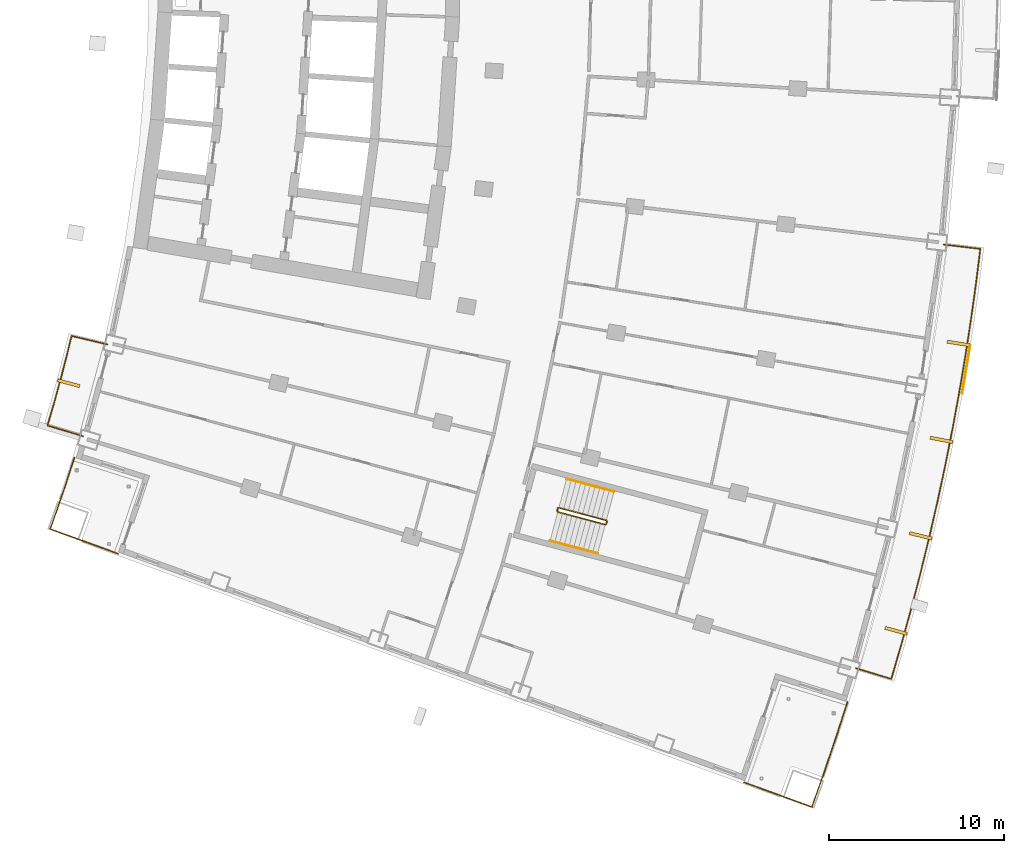
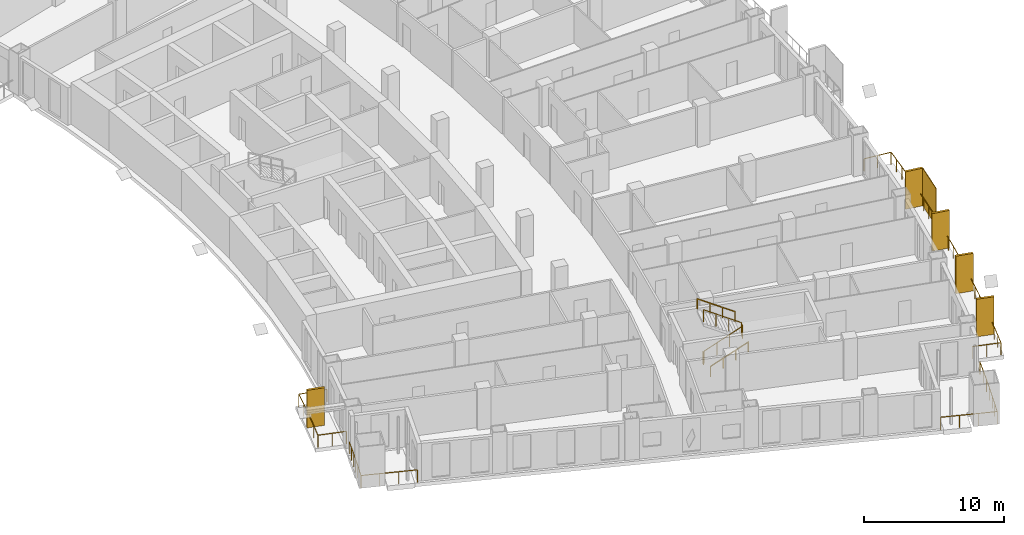
# One storey, part 23 of 25: 7 railings, 6 shading devices.
"""IFC4 building model written with IfcOpenShell, lengths in metres."""

from ifc_helpers import new_model, si_unit, direction, frame, origin, origin_2d, place, context, subcontext, project, spatial, rectangle, extrude, material, layer, layer_set, type_object, element, save


model = new_model("IFC4")

# Units and contexts
model_context = context("Model", 3, precision=1e-05, world=origin(), true_north=direction((0.0, 1.0)))
body_context = subcontext(model_context, "Body", "Model", "MODEL_VIEW")
ifc_project = project(units=[si_unit("LENGTHUNIT", "METRE"), si_unit("AREAUNIT", "SQUARE_METRE"), si_unit("VOLUMEUNIT", "CUBIC_METRE"), si_unit("PLANEANGLEUNIT", "RADIAN"), si_unit("MASSUNIT", "GRAM", prefix="KILO")], contexts=[model_context])

# Site, building, storey
site_placement = place(None, origin())
site = spatial("IfcSite", under=ifc_project, at=site_placement, CompositionType="ELEMENT")
building_placement = place(site_placement, origin())
building = spatial("IfcBuilding", under=site, at=building_placement, Name="Alderwake Tower", CompositionType="ELEMENT")
storey_placement = place(building_placement, frame((0.0, 0.0, 89.60009765625)))
storey = spatial("IfcBuildingStorey", under=building, at=storey_placement, Name="L21", CompositionType="ELEMENT", Elevation=89.60009765625)

# Railings
ifc_material_1 = material(Name="Stainless steel 316 rail and posts", Category="steel")
railing_type_1 = type_object("IfcRailingType", Name="Balcony guard 1100", PredefinedType="GUARDRAIL", material=ifc_material_1)
railing_1_placement = place(storey_placement, frame((56.22265625, 20.204833984375, 0.0)))
element("IfcRailing", 1, at=railing_1_placement, inside=storey, type_object=railing_type_1, Name="Guard BF02", PredefinedType="GUARDRAIL", context=body_context, shape_type="SweptSolid", body=[
    extrude(rectangle(XDim=0.048095703125, YDim=0.048095703125, at=origin_2d()), frame((0.0, 0.0, 1.076171875), z_axis=(0.957986128201, -0.286814536198, 0.0), x_axis=(0.286814536198, 0.957986128201, 0.0)), (0.0, 0.0, 1.0), 2.099853515625),
    extrude(rectangle(XDim=0.048095703125, YDim=0.048095703125, at=origin_2d()), frame((2.01171875, -0.602294921875, 1.076171875), z_axis=(0.280154349247, 0.959954968005, 0.0), x_axis=(-0.959954968005, 0.280154349247, 0.0)), (0.0, 0.0, 1.0), 2.00439453125),
    extrude(rectangle(XDim=0.048095703125, YDim=0.048095703125, at=origin_2d()), frame((2.5732421875, 1.32177734375, 1.076171875), z_axis=(0.266620451379, 0.963801605574, 0.0), x_axis=(-0.963801605574, 0.266620451379, 0.0)), (0.0, 0.0, 1.0), 2.104248046875),
    extrude(rectangle(XDim=0.048095703125, YDim=0.048095703125, at=origin_2d()), frame((3.13427734375, 3.349853515625, 1.076171875), z_axis=(0.252431341957, 0.967614808484, 0.0), x_axis=(-0.967614808484, 0.252431341957, 0.0)), (0.0, 0.0, 1.0), 2.1044921875),
    extrude(rectangle(XDim=0.048095703125, YDim=0.048095703125, at=origin_2d()), frame((3.66552734375, 5.38623046875, 1.076171875), z_axis=(0.238302054277, 0.971191088781, 0.0), x_axis=(-0.971191088781, 0.238302054277, 0.0)), (0.0, 0.0, 1.0), 2.104248046875),
    extrude(rectangle(XDim=0.048095703125, YDim=0.048095703125, at=origin_2d()), frame((4.1669921875, 7.429931640625, 1.076171875), z_axis=(0.224147692921, 0.974555186615, 0.0), x_axis=(-0.974555186615, 0.224147692921, 0.0)), (0.0, 0.0, 1.0), 2.104248046875),
    extrude(rectangle(XDim=0.048095703125, YDim=0.048095703125, at=origin_2d()), frame((4.638671875, 9.480712890625, 1.076171875), z_axis=(0.209885633333, 0.977725943668, 0.0), x_axis=(-0.977725943668, 0.209885633333, 0.0)), (0.0, 0.0, 1.0), 2.104248046875),
    extrude(rectangle(XDim=0.048095703125, YDim=0.048095703125, at=origin_2d()), frame((5.080322265625, 11.5380859375, 1.076171875), z_axis=(0.195602960633, 0.980683170954, 0.0), x_axis=(-0.980683170954, 0.195602960633, 0.0)), (0.0, 0.0, 1.0), 2.1044921875),
    extrude(rectangle(XDim=0.048095703125, YDim=0.048095703125, at=origin_2d()), frame((5.491943359375, 13.601806640625, 1.076171875), z_axis=(0.181212626515, 0.983443940442, 0.0), x_axis=(-0.983443940442, 0.181212626515, 0.0)), (0.0, 0.0, 1.0), 2.1044921875),
    extrude(rectangle(XDim=0.048095703125, YDim=0.048095703125, at=origin_2d()), frame((5.873291015625, 15.67138671875, 1.076171875), z_axis=(0.166957213464, 0.985964141778, 0.0), x_axis=(-0.985964141778, 0.166957213464, 0.0)), (0.0, 0.0, 1.0), 2.104248046875),
    extrude(rectangle(XDim=0.048095703125, YDim=0.048095703125, at=origin_2d()), frame((6.224609375, 17.74609375, 1.076171875), z_axis=(0.152554066346, 0.988295126388, 0.0), x_axis=(-0.988295126388, 0.152554066346, 0.0)), (0.0, 0.0, 1.0), 2.1044921875),
    extrude(rectangle(XDim=0.048095703125, YDim=0.048095703125, at=origin_2d()), frame((6.545654296875, 19.825927734375, 1.076171875), z_axis=(0.138058412224, 0.990424088365, 0.0), x_axis=(-0.990424088365, 0.138058412224, 0.0)), (0.0, 0.0, 1.0), 2.1044921875),
    extrude(rectangle(XDim=0.048095703125, YDim=0.048095703125, at=origin_2d()), frame((6.836181640625, 21.91015625, 1.076171875), z_axis=(0.124004750008, 0.992281624326, 0.0), x_axis=(-0.992281624326, 0.124004750008, 0.0)), (0.0, 0.0, 1.0), 2.004150390625),
    extrude(rectangle(XDim=0.048095703125, YDim=0.048095703125, at=origin_2d()), frame((7.084716796875, 23.89892578125, 1.076171875), z_axis=(-0.993124393357, 0.117063825835, 0.0), x_axis=(-0.117063825835, -0.993124393357, 0.0)), (0.0, 0.0, 1.0), 2.10009765625),
    extrude(rectangle(XDim=0.0419921875, YDim=0.0419921875, at=origin_2d()), frame((0.0, 0.0, 0.0), z_axis=(0.0, 0.0, 1.0), x_axis=(0.957986128201, -0.286814536198, 0.0)), (0.0, 0.0, 1.0), 1.052001953125),
    extrude(rectangle(XDim=0.0419921875, YDim=0.0419921875, at=origin_2d()), frame((1.005859375, -0.30126953125, 0.0), z_axis=(0.0, 0.0, 1.0), x_axis=(0.957986128201, -0.286814536198, 0.0)), (0.0, 0.0, 1.0), 1.052001953125),
    extrude(rectangle(XDim=0.0419921875, YDim=0.0419921875, at=origin_2d()), frame((2.01171875, -0.602294921875, 0.0), z_axis=(0.0, 0.0, 1.0), x_axis=(0.280154349247, 0.959954968005, 0.0)), (0.0, 0.0, 1.0), 1.052001953125),
    extrude(rectangle(XDim=0.0419921875, YDim=0.0419921875, at=origin_2d()), frame((2.29248046875, 0.35986328125, 0.0), z_axis=(0.0, 0.0, 1.0), x_axis=(0.280154349247, 0.959954968005, 0.0)), (0.0, 0.0, 1.0), 1.052001953125),
    extrude(rectangle(XDim=0.0419921875, YDim=0.0419921875, at=origin_2d()), frame((2.5732421875, 1.32177734375, 0.0), z_axis=(0.0, 0.0, 1.0), x_axis=(0.266620451379, 0.963801605574, 0.0)), (0.0, 0.0, 1.0), 1.052001953125),
    extrude(rectangle(XDim=0.0419921875, YDim=0.0419921875, at=origin_2d()), frame((2.853759765625, 2.3359375, 0.0), z_axis=(0.0, 0.0, 1.0), x_axis=(0.266620451379, 0.963801605574, 0.0)), (0.0, 0.0, 1.0), 1.052001953125),
    extrude(rectangle(XDim=0.0419921875, YDim=0.0419921875, at=origin_2d()), frame((3.13427734375, 3.349853515625, 0.0), z_axis=(0.0, 0.0, 1.0), x_axis=(0.252431341957, 0.967614808484, 0.0)), (0.0, 0.0, 1.0), 1.052001953125),
    extrude(rectangle(XDim=0.0419921875, YDim=0.0419921875, at=origin_2d()), frame((3.39990234375, 4.3681640625, 0.0), z_axis=(0.0, 0.0, 1.0), x_axis=(0.252431341957, 0.967614808484, 0.0)), (0.0, 0.0, 1.0), 1.052001953125),
    extrude(rectangle(XDim=0.0419921875, YDim=0.0419921875, at=origin_2d()), frame((3.66552734375, 5.38623046875, 0.0), z_axis=(0.0, 0.0, 1.0), x_axis=(0.238302054277, 0.971191088781, 0.0)), (0.0, 0.0, 1.0), 1.052001953125),
    extrude(rectangle(XDim=0.0419921875, YDim=0.0419921875, at=origin_2d()), frame((3.916259765625, 6.408203125, 0.0), z_axis=(0.0, 0.0, 1.0), x_axis=(0.238302054277, 0.971191088781, 0.0)), (0.0, 0.0, 1.0), 1.052001953125),
    extrude(rectangle(XDim=0.0419921875, YDim=0.0419921875, at=origin_2d()), frame((4.1669921875, 7.429931640625, 0.0), z_axis=(0.0, 0.0, 1.0), x_axis=(0.224147692921, 0.974555186615, 0.0)), (0.0, 0.0, 1.0), 1.052001953125),
    extrude(rectangle(XDim=0.0419921875, YDim=0.0419921875, at=origin_2d()), frame((4.40283203125, 8.455322265625, 0.0), z_axis=(0.0, 0.0, 1.0), x_axis=(0.224147692921, 0.974555186615, 0.0)), (0.0, 0.0, 1.0), 1.052001953125),
    extrude(rectangle(XDim=0.0419921875, YDim=0.0419921875, at=origin_2d()), frame((4.638671875, 9.480712890625, 0.0), z_axis=(0.0, 0.0, 1.0), x_axis=(0.209885633333, 0.977725943668, 0.0)), (0.0, 0.0, 1.0), 1.052001953125),
    extrude(rectangle(XDim=0.0419921875, YDim=0.0419921875, at=origin_2d()), frame((4.859375, 10.50927734375, 0.0), z_axis=(0.0, 0.0, 1.0), x_axis=(0.209885633333, 0.977725943668, 0.0)), (0.0, 0.0, 1.0), 1.052001953125),
    extrude(rectangle(XDim=0.0419921875, YDim=0.0419921875, at=origin_2d()), frame((5.080322265625, 11.5380859375, 0.0), z_axis=(0.0, 0.0, 1.0), x_axis=(0.195602960633, 0.980683170954, 0.0)), (0.0, 0.0, 1.0), 1.052001953125),
    extrude(rectangle(XDim=0.0419921875, YDim=0.0419921875, at=origin_2d()), frame((5.2861328125, 12.56982421875, 0.0), z_axis=(0.0, 0.0, 1.0), x_axis=(0.195602960633, 0.980683170954, 0.0)), (0.0, 0.0, 1.0), 1.052001953125),
    extrude(rectangle(XDim=0.0419921875, YDim=0.0419921875, at=origin_2d()), frame((5.491943359375, 13.601806640625, 0.0), z_axis=(0.0, 0.0, 1.0), x_axis=(0.181212626515, 0.983443940442, 0.0)), (0.0, 0.0, 1.0), 1.052001953125),
    extrude(rectangle(XDim=0.0419921875, YDim=0.0419921875, at=origin_2d()), frame((5.6826171875, 14.63671875, 0.0), z_axis=(0.0, 0.0, 1.0), x_axis=(0.181212626515, 0.983443940442, 0.0)), (0.0, 0.0, 1.0), 1.052001953125),
    extrude(rectangle(XDim=0.0419921875, YDim=0.0419921875, at=origin_2d()), frame((5.873291015625, 15.67138671875, 0.0), z_axis=(0.0, 0.0, 1.0), x_axis=(0.166957213464, 0.985964141778, 0.0)), (0.0, 0.0, 1.0), 1.052001953125),
    extrude(rectangle(XDim=0.0419921875, YDim=0.0419921875, at=origin_2d()), frame((6.048828125, 16.708740234375, 0.0), z_axis=(0.0, 0.0, 1.0), x_axis=(0.166957213464, 0.985964141778, 0.0)), (0.0, 0.0, 1.0), 1.052001953125),
    extrude(rectangle(XDim=0.0419921875, YDim=0.0419921875, at=origin_2d()), frame((6.224609375, 17.74609375, 0.0), z_axis=(0.0, 0.0, 1.0), x_axis=(0.152554066346, 0.988295126388, 0.0)), (0.0, 0.0, 1.0), 1.052001953125),
    extrude(rectangle(XDim=0.0419921875, YDim=0.0419921875, at=origin_2d()), frame((6.38525390625, 18.7861328125, 0.0), z_axis=(0.0, 0.0, 1.0), x_axis=(0.152554066346, 0.988295126388, 0.0)), (0.0, 0.0, 1.0), 1.052001953125),
    extrude(rectangle(XDim=0.0419921875, YDim=0.0419921875, at=origin_2d()), frame((6.545654296875, 19.825927734375, 0.0), z_axis=(0.0, 0.0, 1.0), x_axis=(0.138058412224, 0.990424088365, 0.0)), (0.0, 0.0, 1.0), 1.052001953125),
    extrude(rectangle(XDim=0.0419921875, YDim=0.0419921875, at=origin_2d()), frame((6.69091796875, 20.8681640625, 0.0), z_axis=(0.0, 0.0, 1.0), x_axis=(0.138058412224, 0.990424088365, 0.0)), (0.0, 0.0, 1.0), 1.052001953125),
    extrude(rectangle(XDim=0.0419921875, YDim=0.0419921875, at=origin_2d()), frame((6.836181640625, 21.91015625, 0.0), z_axis=(0.0, 0.0, 1.0), x_axis=(0.124004750008, 0.992281624326, 0.0)), (0.0, 0.0, 1.0), 1.052001953125),
    extrude(rectangle(XDim=0.0419921875, YDim=0.0419921875, at=origin_2d()), frame((6.96044921875, 22.904541015625, 0.0), z_axis=(0.0, 0.0, 1.0), x_axis=(0.124004750008, 0.992281624326, 0.0)), (0.0, 0.0, 1.0), 1.052001953125),
    extrude(rectangle(XDim=0.0419921875, YDim=0.0419921875, at=origin_2d()), frame((7.084716796875, 23.89892578125, 0.0), z_axis=(0.0, 0.0, 1.0), x_axis=(-0.993124393357, 0.117063825835, 0.0)), (0.0, 0.0, 1.0), 1.052001953125),
    extrude(rectangle(XDim=0.0419921875, YDim=0.0419921875, at=origin_2d()), frame((6.0419921875, 24.02197265625, 0.0), z_axis=(0.0, 0.0, 1.0), x_axis=(-0.993124393357, 0.117063825835, 0.0)), (0.0, 0.0, 1.0), 1.052001953125),
    extrude(rectangle(XDim=0.0419921875, YDim=0.0419921875, at=origin_2d()), frame((4.9990234375, 24.144775390625, 0.0), z_axis=(0.0, 0.0, 1.0), x_axis=(-0.993124393357, 0.117063825835, 0.0)), (0.0, 0.0, 1.0), 1.052001953125),
])
railing_2_placement = place(storey_placement, frame((12.16650390625, 33.435791015625, 0.0)))
element("IfcRailing", 2, at=railing_2_placement, inside=storey, type_object=railing_type_1, Name="Guard BR02", PredefinedType="GUARDRAIL", context=body_context, shape_type="SweptSolid", body=[
    extrude(rectangle(XDim=0.048095703125, YDim=0.048095703125, at=origin_2d()), frame((0.0, 0.0, 1.076171875), z_axis=(-0.958091458885, 0.286462486918, 0.0), x_axis=(-0.286462486918, -0.958091458885, 0.0)), (0.0, 0.0, 1.0), 2.099853515625),
    extrude(rectangle(XDim=0.048095703125, YDim=0.048095703125, at=origin_2d()), frame((-2.011962890625, 0.6015625, 1.076171875), z_axis=(0.279963157487, 0.960010744966, 0.0), x_axis=(-0.960010744966, 0.279963157487, 0.0)), (0.0, 0.0, 1.0), 1.272216796875),
    extrude(rectangle(XDim=0.048095703125, YDim=0.048095703125, at=origin_2d()), frame((-1.65576171875, 1.822998046875, 1.076171875), z_axis=(0.266487604617, 0.963838345671, 0.0), x_axis=(-0.963838345671, 0.266487604617, 0.0)), (0.0, 0.0, 1.0), 1.372314453125),
    extrude(rectangle(XDim=0.048095703125, YDim=0.048095703125, at=origin_2d()), frame((-1.2900390625, 3.145751953125, 1.076171875), z_axis=(0.252487086228, 0.967600264204, 0.0), x_axis=(-0.967600264204, 0.252487086228, 0.0)), (0.0, 0.0, 1.0), 1.3720703125),
    extrude(rectangle(XDim=0.048095703125, YDim=0.048095703125, at=origin_2d()), frame((-0.943603515625, 4.473388671875, 1.076171875), z_axis=(0.238877101641, 0.971049808358, 0.0), x_axis=(-0.971049808358, 0.238877101641, 0.0)), (0.0, 0.0, 1.0), 1.2724609375),
    extrude(rectangle(XDim=0.048095703125, YDim=0.048095703125, at=origin_2d()), frame((-0.6396484375, 5.708984375, 1.076171875), z_axis=(0.972646310656, -0.232291098337, 0.0), x_axis=(0.232291098337, 0.972646310656, 0.0)), (0.0, 0.0, 1.0), 2.099853515625),
    extrude(rectangle(XDim=0.0419921875, YDim=0.0419921875, at=origin_2d()), frame((0.0, 0.0, 0.0), z_axis=(0.0, 0.0, 1.0), x_axis=(-0.958091458885, 0.286462486918, 0.0)), (0.0, 0.0, 1.0), 1.052001953125),
    extrude(rectangle(XDim=0.0419921875, YDim=0.0419921875, at=origin_2d()), frame((-1.005859375, 0.30078125, 0.0), z_axis=(0.0, 0.0, 1.0), x_axis=(-0.958091458885, 0.286462486918, 0.0)), (0.0, 0.0, 1.0), 1.052001953125),
    extrude(rectangle(XDim=0.0419921875, YDim=0.0419921875, at=origin_2d()), frame((-2.011962890625, 0.6015625, 0.0), z_axis=(0.0, 0.0, 1.0), x_axis=(0.279963157487, 0.960010744966, 0.0)), (0.0, 0.0, 1.0), 1.052001953125),
    extrude(rectangle(XDim=0.0419921875, YDim=0.0419921875, at=origin_2d()), frame((-1.65576171875, 1.822998046875, 0.0), z_axis=(0.0, 0.0, 1.0), x_axis=(0.266487604617, 0.963838345671, 0.0)), (0.0, 0.0, 1.0), 1.052001953125),
    extrude(rectangle(XDim=0.0419921875, YDim=0.0419921875, at=origin_2d()), frame((-1.2900390625, 3.145751953125, 0.0), z_axis=(0.0, 0.0, 1.0), x_axis=(0.252487086228, 0.967600264204, 0.0)), (0.0, 0.0, 1.0), 1.052001953125),
    extrude(rectangle(XDim=0.0419921875, YDim=0.0419921875, at=origin_2d()), frame((-0.943603515625, 4.473388671875, 0.0), z_axis=(0.0, 0.0, 1.0), x_axis=(0.238877101641, 0.971049808358, 0.0)), (0.0, 0.0, 1.0), 1.052001953125),
    extrude(rectangle(XDim=0.0419921875, YDim=0.0419921875, at=origin_2d()), frame((-0.6396484375, 5.708984375, 0.0), z_axis=(0.0, 0.0, 1.0), x_axis=(0.972646310656, -0.232291098337, 0.0)), (0.0, 0.0, 1.0), 1.052001953125),
    extrude(rectangle(XDim=0.0419921875, YDim=0.0419921875, at=origin_2d()), frame((0.381591796875, 5.465087890625, 0.0), z_axis=(0.0, 0.0, 1.0), x_axis=(0.972646310656, -0.232291098337, 0.0)), (0.0, 0.0, 1.0), 1.052001953125),
    extrude(rectangle(XDim=0.0419921875, YDim=0.0419921875, at=origin_2d()), frame((1.40283203125, 5.22119140625, 0.0), z_axis=(0.0, 0.0, 1.0), x_axis=(0.972646310656, -0.232291098337, 0.0)), (0.0, 0.0, 1.0), 1.052001953125),
])
railing_3_placement = place(storey_placement, frame((55.739013671875, 18.289306640625, 0.0)))
element("IfcRailing", 3, at=railing_3_placement, inside=storey, type_object=railing_type_1, Name="Guard terrace FS", PredefinedType="GUARDRAIL", context=body_context, shape_type="SweptSolid", body=[
    extrude(rectangle(XDim=0.048095703125, YDim=0.048095703125, at=origin_2d()), frame((0.0, 0.0, 1.076171875), z_axis=(-0.307748860356, -0.9514676237, 0.0), x_axis=(0.9514676237, -0.307748860356, 0.0)), (0.0, 0.0, 1.0), 2.275146484375),
    extrude(rectangle(XDim=0.048095703125, YDim=0.048095703125, at=origin_2d()), frame((-0.7001953125, -2.164794921875, 1.076171875), z_axis=(-0.322257067834, -0.946652197077, 0.0), x_axis=(0.946652197077, -0.322257067834, 0.0)), (0.0, 0.0, 1.0), 2.074951171875),
    extrude(rectangle(XDim=0.048095703125, YDim=0.048095703125, at=origin_2d()), frame((-1.368896484375, -4.129150390625, 1.076171875), z_axis=(-0.335702093232, -0.94196820785, 0.0), x_axis=(0.94196820785, -0.335702093232, 0.0)), (0.0, 0.0, 1.0), 1.975341796875),
    extrude(rectangle(XDim=0.048095703125, YDim=0.048095703125, at=origin_2d()), frame((-2.031982421875, -5.98974609375, 1.076171875), z_axis=(-0.939605522223, 0.34225934992, 0.0), x_axis=(-0.34225934992, -0.939605522223, 0.0)), (0.0, 0.0, 1.0), 4.10009765625),
    extrude(rectangle(XDim=0.0419921875, YDim=0.0419921875, at=origin_2d()), frame((0.0, 0.0, 0.0), z_axis=(0.0, 0.0, 1.0), x_axis=(-0.307748860356, -0.9514676237, 0.0)), (0.0, 0.0, 1.0), 1.052001953125),
    extrude(rectangle(XDim=0.0419921875, YDim=0.0419921875, at=origin_2d()), frame((-0.35009765625, -1.08251953125, 0.0), z_axis=(0.0, 0.0, 1.0), x_axis=(-0.307748860356, -0.9514676237, 0.0)), (0.0, 0.0, 1.0), 1.052001953125),
    extrude(rectangle(XDim=0.0419921875, YDim=0.0419921875, at=origin_2d()), frame((-0.7001953125, -2.164794921875, 0.0), z_axis=(0.0, 0.0, 1.0), x_axis=(-0.322257067834, -0.946652197077, 0.0)), (0.0, 0.0, 1.0), 1.052001953125),
    extrude(rectangle(XDim=0.0419921875, YDim=0.0419921875, at=origin_2d()), frame((-1.03466796875, -3.14697265625, 0.0), z_axis=(0.0, 0.0, 1.0), x_axis=(-0.322257067834, -0.946652197077, 0.0)), (0.0, 0.0, 1.0), 1.052001953125),
    extrude(rectangle(XDim=0.0419921875, YDim=0.0419921875, at=origin_2d()), frame((-1.368896484375, -4.129150390625, 0.0), z_axis=(0.0, 0.0, 1.0), x_axis=(-0.335702093232, -0.94196820785, 0.0)), (0.0, 0.0, 1.0), 1.052001953125),
    extrude(rectangle(XDim=0.0419921875, YDim=0.0419921875, at=origin_2d()), frame((-1.700439453125, -5.0595703125, 0.0), z_axis=(0.0, 0.0, 1.0), x_axis=(-0.335702093232, -0.94196820785, 0.0)), (0.0, 0.0, 1.0), 1.052001953125),
    extrude(rectangle(XDim=0.0419921875, YDim=0.0419921875, at=origin_2d()), frame((-2.031982421875, -5.98974609375, 0.0), z_axis=(0.0, 0.0, 1.0), x_axis=(-0.939605522223, 0.34225934992, 0.0)), (0.0, 0.0, 1.0), 1.052001953125),
    extrude(rectangle(XDim=0.0419921875, YDim=0.0419921875, at=origin_2d()), frame((-3.316162109375, -5.52197265625, 0.0), z_axis=(0.0, 0.0, 1.0), x_axis=(-0.939605522223, 0.34225934992, 0.0)), (0.0, 0.0, 1.0), 1.052001953125),
    extrude(rectangle(XDim=0.0419921875, YDim=0.0419921875, at=origin_2d()), frame((-4.600341796875, -5.05419921875, 0.0), z_axis=(0.0, 0.0, 1.0), x_axis=(-0.939605522223, 0.34225934992, 0.0)), (0.0, 0.0, 1.0), 1.052001953125),
    extrude(rectangle(XDim=0.0419921875, YDim=0.0419921875, at=origin_2d()), frame((-5.884521484375, -4.58642578125, 0.0), z_axis=(0.0, 0.0, 1.0), x_axis=(-0.939605522223, 0.34225934992, 0.0)), (0.0, 0.0, 1.0), 1.052001953125),
])
railing_4_placement = place(storey_placement, frame((11.688720703125, 32.218017578125, 0.0)))
element("IfcRailing", 4, at=railing_4_placement, inside=storey, type_object=railing_type_1, Name="Guard terrace RS", PredefinedType="GUARDRAIL", context=body_context, shape_type="SweptSolid", body=[
    extrude(rectangle(XDim=0.048095703125, YDim=0.048095703125, at=origin_2d()), frame((0.0, 0.0, 1.076171875), z_axis=(-0.307479326145, -0.951554761426, 0.0), x_axis=(0.951554761426, -0.307479326145, 0.0)), (0.0, 0.0, 1.0), 1.6015625),
    extrude(rectangle(XDim=0.048095703125, YDim=0.048095703125, at=origin_2d()), frame((-0.492431640625, -1.52392578125, 1.076171875), z_axis=(-0.322283727344, -0.946643121292, 0.0), x_axis=(0.946643121292, -0.322283727344, 0.0)), (0.0, 0.0, 1.0), 1.4013671875),
    extrude(rectangle(XDim=0.048095703125, YDim=0.048095703125, at=origin_2d()), frame((-0.944091796875, -2.8505859375, 1.076171875), z_axis=(-0.335468607403, -0.942051385778, 0.0), x_axis=(0.942051385778, -0.335468607403, 0.0)), (0.0, 0.0, 1.0), 1.30126953125),
    extrude(rectangle(XDim=0.048095703125, YDim=0.048095703125, at=origin_2d()), frame((-1.380615234375, -4.076416015625, 1.076171875), z_axis=(0.939708203232, -0.341977327873, 0.0), x_axis=(0.341977327873, 0.939708203232, 0.0)), (0.0, 0.0, 1.0), 4.10009765625),
    extrude(rectangle(XDim=0.0419921875, YDim=0.0419921875, at=origin_2d()), frame((0.0, 0.0, 0.0), z_axis=(0.0, 0.0, 1.0), x_axis=(-0.307479326145, -0.951554761426, 0.0)), (0.0, 0.0, 1.0), 1.052001953125),
    extrude(rectangle(XDim=0.0419921875, YDim=0.0419921875, at=origin_2d()), frame((-0.24609375, -0.761962890625, 0.0), z_axis=(0.0, 0.0, 1.0), x_axis=(-0.307479326145, -0.951554761426, 0.0)), (0.0, 0.0, 1.0), 1.052001953125),
    extrude(rectangle(XDim=0.0419921875, YDim=0.0419921875, at=origin_2d()), frame((-0.492431640625, -1.52392578125, 0.0), z_axis=(0.0, 0.0, 1.0), x_axis=(-0.322283727344, -0.946643121292, 0.0)), (0.0, 0.0, 1.0), 1.052001953125),
    extrude(rectangle(XDim=0.0419921875, YDim=0.0419921875, at=origin_2d()), frame((-0.71826171875, -2.187255859375, 0.0), z_axis=(0.0, 0.0, 1.0), x_axis=(-0.322283727344, -0.946643121292, 0.0)), (0.0, 0.0, 1.0), 1.052001953125),
    extrude(rectangle(XDim=0.0419921875, YDim=0.0419921875, at=origin_2d()), frame((-0.944091796875, -2.8505859375, 0.0), z_axis=(0.0, 0.0, 1.0), x_axis=(-0.335468607403, -0.942051385778, 0.0)), (0.0, 0.0, 1.0), 1.052001953125),
    extrude(rectangle(XDim=0.0419921875, YDim=0.0419921875, at=origin_2d()), frame((-1.380615234375, -4.076416015625, 0.0), z_axis=(0.0, 0.0, 1.0), x_axis=(0.939708203232, -0.341977327873, 0.0)), (0.0, 0.0, 1.0), 1.052001953125),
    extrude(rectangle(XDim=0.0419921875, YDim=0.0419921875, at=origin_2d()), frame((-0.096435546875, -4.543701171875, 0.0), z_axis=(0.0, 0.0, 1.0), x_axis=(0.939708203232, -0.341977327873, 0.0)), (0.0, 0.0, 1.0), 1.052001953125),
    extrude(rectangle(XDim=0.0419921875, YDim=0.0419921875, at=origin_2d()), frame((1.18798828125, -5.01123046875, 0.0), z_axis=(0.0, 0.0, 1.0), x_axis=(0.939708203232, -0.341977327873, 0.0)), (0.0, 0.0, 1.0), 1.052001953125),
    extrude(rectangle(XDim=0.0419921875, YDim=0.0419921875, at=origin_2d()), frame((2.47216796875, -5.478515625, 0.0), z_axis=(0.0, 0.0, 1.0), x_axis=(0.939708203232, -0.341977327873, 0.0)), (0.0, 0.0, 1.0), 1.052001953125),
])

# Shading devices
ifc_material_2 = material(Name="Bronze anodised aluminium", Category="aluminium")
ifc_layer_1 = layer(ifc_material_2, 0.179931640625)
ifc_layer_set_1 = layer_set([ifc_layer_1], Name="Facade fin 1300")
shading_device_type_1 = type_object("IfcShadingDeviceType", Name="Facade fin 1300", PredefinedType="USERDEFINED", material=ifc_layer_set_1)
for number, where, z_axis, x_axis, name in (
    (5, (58.505615234375, 22.339111328125, 0.0), (0.0, 0.0, 1.0), (0.96318180783, -0.268850897459, 0.0), "Fin"),
    (6, (59.904296875, 27.7548828125, 0.0), (0.0, 0.0, 1.0), (0.972908790564, -0.231189284448, 0.0), "Fin"),
    (7, (61.09130859375, 33.220947265625, 0.0), (0.0, 0.0, 1.0), (0.981163751315, -0.193177879441, 0.0), "Fin"),
    (8, (62.062744140625, 38.71484375, 0.0), (0.0, 0.0, 1.0), (0.987918787879, -0.154972476771, 0.0), "Fin"),
    (9, (11.359375, 36.45166015625, 0.0), (0.0, 0.0, 1.0), (0.965744448231, -0.259495010957, 0.0), "Fin"),
):
    element("IfcShadingDevice", number, at=place(storey_placement, frame(where, z_axis=z_axis, x_axis=x_axis)), inside=storey, type_object=shading_device_type_1, Name=name, ObjectType="FIN", PredefinedType="USERDEFINED", context=body_context, shape_type="SweptSolid", body=[
        extrude(rectangle(XDim=1.300048828125, YDim=0.179931640625, at=origin_2d()), origin(), (0.0, 0.0, 1.0), 3.280029296875),
    ])
ifc_material_3 = material(Name="Perforated bronze anodised aluminium", Category="aluminium")
ifc_layer_2 = layer(ifc_material_3, 0.050048828125)
ifc_layer_set_2 = layer_set([ifc_layer_2], Name="Perforated screen panel")
shading_device_type_2 = type_object("IfcShadingDeviceType", Name="Perforated screen panel", PredefinedType="USERDEFINED", material=ifc_layer_set_2)
shading_device_placement = place(storey_placement, frame((62.4990234375, 37.22802734375, 0.0), z_axis=(0.0, 0.0, 1.0), x_axis=(0.986369013299, -0.164548380739, 0.0)))
element("IfcShadingDevice", 10, at=shading_device_placement, inside=storey, type_object=shading_device_type_2, Name="Screen panel", ObjectType="SCREEN", PredefinedType="USERDEFINED", context=body_context, shape_type="SweptSolid", body=[
    extrude(rectangle(XDim=0.050048828125, YDim=2.802734375, at=origin_2d()), origin(), (0.0, 0.0, 1.0), 3.280029296875),
])

# Railings
ifc_material_4 = material(Name="Stainless steel guard", Category="steel")
railing_type_2 = type_object("IfcRailingType", Name="Stair guard 1100", PredefinedType="GUARDRAIL", material=ifc_material_4)
railing_5_placement = place(storey_placement, frame((39.1943359375, 29.17431640625, 0.0)))
element("IfcRailing", 11, at=railing_5_placement, inside=storey, type_object=railing_type_2, Name="L21 ST-C stair guard 1", PredefinedType="GUARDRAIL", context=body_context, shape_type="SweptSolid", body=[
    extrude(rectangle(XDim=0.048095703125, YDim=0.048095703125, at=origin_2d()), frame((0.0, 0.0, 1.076171875), z_axis=(0.257459803502, 0.966289009345, 0.0), x_axis=(-0.966289009345, 0.257459803502, 0.0)), (0.0, 0.0, 1.0), 0.14990234375),
    extrude(rectangle(XDim=0.048095703125, YDim=0.048095703125, at=origin_2d()), frame((0.03857421875, 0.144775390625, 1.076171875), z_axis=(-0.012062893862, -0.783160186125, 0.621702991355), x_axis=(0.999881397308, -0.015401016783, 0.0)), (0.0, 0.0, 1.0), 0.26318359375),
    extrude(rectangle(XDim=0.048095703125, YDim=0.048095703125, at=origin_2d()), frame((0.035400390625, -0.061279296875, 1.23974609375), z_axis=(0.834313512087, -0.222222637163, 0.504517653885), x_axis=(0.257380452725, 0.966310148221, 0.0)), (0.0, 0.0, 1.0), 3.2431640625),
    extrude(rectangle(XDim=0.048095703125, YDim=0.048095703125, at=origin_2d()), frame((2.7412109375, -0.781982421875, 2.8759765625), z_axis=(0.865031189262, 0.501718089772, 0.0), x_axis=(-0.501718089772, 0.865031189262, 0.0)), (0.0, 0.0, 1.0), 0.070556640625),
    extrude(rectangle(XDim=0.048095703125, YDim=0.048095703125, at=origin_2d()), frame((2.80224609375, -0.74658203125, 2.8759765625), z_axis=(0.257055032184, 0.966396766566, 0.0), x_axis=(-0.966396766566, 0.257055032184, 0.0)), (0.0, 0.0, 1.0), 0.150146484375),
    extrude(rectangle(XDim=0.048095703125, YDim=0.048095703125, at=origin_2d()), frame((2.8408203125, -0.6015625, 2.8759765625), z_axis=(-0.198375862152, 0.343395457933, 0.918001403477), x_axis=(-0.865898279276, -0.500220121494, 0.0)), (0.0, 0.0, 1.0), 0.178466796875),
    extrude(rectangle(XDim=0.048095703125, YDim=0.048095703125, at=origin_2d()), frame((2.805419921875, -0.540283203125, 3.03955078125), z_axis=(-0.834290631165, 0.222236594766, 0.504549342183), x_axis=(-0.257402139082, -0.966304371715, 0.0)), (0.0, 0.0, 1.0), 3.242919921875),
    extrude(rectangle(XDim=0.0419921875, YDim=0.0419921875, at=origin_2d()), frame((0.0, 0.0, 0.0), z_axis=(0.0, 0.0, 1.0), x_axis=(0.257459803502, 0.966289009345, 0.0)), (0.0, 0.0, 1.0), 1.052001953125),
    extrude(rectangle(XDim=0.0419921875, YDim=0.0419921875, at=origin_2d()), frame((0.03857421875, 0.144775390625, 0.0), z_axis=(0.0, 0.0, 1.0), x_axis=(-0.015401016783, -0.999881397308, 0.0)), (0.0, 0.0, 1.0), 1.052001953125),
    extrude(rectangle(XDim=0.0419921875, YDim=0.0419921875, at=origin_2d()), frame((0.035400390625, -0.061279296875, 0.16357421875), z_axis=(0.0, 0.0, 1.0), x_axis=(0.966310148221, -0.257380452725, 0.0)), (0.0, 0.0, 1.0), 1.052001953125),
    extrude(rectangle(XDim=0.0419921875, YDim=0.0419921875, at=origin_2d()), frame((0.937255859375, -0.301513671875, 0.708984375), z_axis=(0.0, 0.0, 1.0), x_axis=(0.966310148221, -0.257380452725, 0.0)), (0.0, 0.0, 1.0), 1.052001953125),
    extrude(rectangle(XDim=0.0419921875, YDim=0.0419921875, at=origin_2d()), frame((1.83935546875, -0.541748046875, 1.25439453125), z_axis=(0.0, 0.0, 1.0), x_axis=(0.966310148221, -0.257380452725, 0.0)), (0.0, 0.0, 1.0), 1.052001953125),
    extrude(rectangle(XDim=0.0419921875, YDim=0.0419921875, at=origin_2d()), frame((2.7412109375, -0.781982421875, 1.7998046875), z_axis=(0.0, 0.0, 1.0), x_axis=(0.865031189262, 0.501718089772, 0.0)), (0.0, 0.0, 1.0), 1.052001953125),
    extrude(rectangle(XDim=0.0419921875, YDim=0.0419921875, at=origin_2d()), frame((2.80224609375, -0.74658203125, 1.7998046875), z_axis=(0.0, 0.0, 1.0), x_axis=(0.257055032184, 0.966396766566, 0.0)), (0.0, 0.0, 1.0), 1.052001953125),
    extrude(rectangle(XDim=0.0419921875, YDim=0.0419921875, at=origin_2d()), frame((2.8408203125, -0.6015625, 1.7998046875), z_axis=(0.0, 0.0, 1.0), x_axis=(-0.500220121494, 0.865898279276, 0.0)), (0.0, 0.0, 1.0), 1.052001953125),
    extrude(rectangle(XDim=0.0419921875, YDim=0.0419921875, at=origin_2d()), frame((2.805419921875, -0.540283203125, 1.963623046875), z_axis=(0.0, 0.0, 1.0), x_axis=(-0.966304371715, 0.257402139082, 0.0)), (0.0, 0.0, 1.0), 1.052001953125),
    extrude(rectangle(XDim=0.0419921875, YDim=0.0419921875, at=origin_2d()), frame((1.903564453125, -0.300048828125, 2.509033203125), z_axis=(0.0, 0.0, 1.0), x_axis=(-0.966304371715, 0.257402139082, 0.0)), (0.0, 0.0, 1.0), 1.052001953125),
    extrude(rectangle(XDim=0.0419921875, YDim=0.0419921875, at=origin_2d()), frame((1.001708984375, -0.059814453125, 3.054443359375), z_axis=(0.0, 0.0, 1.0), x_axis=(-0.966304371715, 0.257402139082, 0.0)), (0.0, 0.0, 1.0), 1.052001953125),
    extrude(rectangle(XDim=0.0419921875, YDim=0.0419921875, at=origin_2d()), frame((0.099853515625, 0.180419921875, 3.599853515625), z_axis=(0.0, 0.0, 1.0), x_axis=(-0.966304371715, 0.257402139082, 0.0)), (0.0, 0.0, 1.0), 1.052001953125),
])
ifc_material_5 = material(Name="Stainless steel handrail", Category="steel")
railing_type_3 = type_object("IfcRailingType", Name="Stair handrail 900", PredefinedType="HANDRAIL", material=ifc_material_5)
railing_6_placement = place(storey_placement, frame((38.792236328125, 27.47021484375, 0.16357421875)))
element("IfcRailing", 12, at=railing_6_placement, inside=storey, type_object=railing_type_3, Name="L21 ST-C stair handrail 1", PredefinedType="HANDRAIL", context=body_context, shape_type="SweptSolid", body=[
    extrude(rectangle(XDim=0.048095703125, YDim=0.048095703125, at=origin_2d()), frame((0.0, 0.0, 0.8759765625), z_axis=(0.834304587439, -0.222165027751, 0.504557782442), x_axis=(0.25732071773, 0.966326056891, 0.0)), (0.0, 0.0, 1.0), 3.242919921875),
    extrude(rectangle(XDim=0.0419921875, YDim=0.0419921875, at=origin_2d()), frame((0.0, 0.0, 0.0), z_axis=(0.0, 0.0, 1.0), x_axis=(0.966326056891, -0.25732071773, 0.0)), (0.0, 0.0, 1.0), 0.851806640625),
    extrude(rectangle(XDim=0.0419921875, YDim=0.0419921875, at=origin_2d()), frame((0.90185546875, -0.240234375, 0.54541015625), z_axis=(0.0, 0.0, 1.0), x_axis=(0.966326056891, -0.25732071773, 0.0)), (0.0, 0.0, 1.0), 0.851806640625),
    extrude(rectangle(XDim=0.0419921875, YDim=0.0419921875, at=origin_2d()), frame((1.8037109375, -0.480224609375, 1.0908203125), z_axis=(0.0, 0.0, 1.0), x_axis=(0.966326056891, -0.25732071773, 0.0)), (0.0, 0.0, 1.0), 0.851806640625),
    extrude(rectangle(XDim=0.0419921875, YDim=0.0419921875, at=origin_2d()), frame((2.70556640625, -0.720458984375, 1.63623046875), z_axis=(0.0, 0.0, 1.0), x_axis=(0.966326056891, -0.25732071773, 0.0)), (0.0, 0.0, 1.0), 0.851806640625),
])
railing_7_placement = place(storey_placement, frame((42.437255859375, 30.276611328125, 1.963623046875)))
element("IfcRailing", 13, at=railing_7_placement, inside=storey, type_object=railing_type_3, Name="L21 ST-C stair handrail 2", PredefinedType="HANDRAIL", context=body_context, shape_type="SweptSolid", body=[
    extrude(rectangle(XDim=0.048095703125, YDim=0.048095703125, at=origin_2d()), frame((0.0, 0.0, 0.8759765625), z_axis=(-0.834290631165, 0.222236594766, 0.504549342183), x_axis=(-0.257402139082, -0.966304371715, 0.0)), (0.0, 0.0, 1.0), 3.242919921875),
    extrude(rectangle(XDim=0.0419921875, YDim=0.0419921875, at=origin_2d()), frame((0.0, 0.0, 0.0), z_axis=(0.0, 0.0, 1.0), x_axis=(-0.966304371715, 0.257402139082, 0.0)), (0.0, 0.0, 1.0), 0.851806640625),
    extrude(rectangle(XDim=0.0419921875, YDim=0.0419921875, at=origin_2d()), frame((-0.90185546875, 0.240234375, 0.54541015625), z_axis=(0.0, 0.0, 1.0), x_axis=(-0.966304371715, 0.257402139082, 0.0)), (0.0, 0.0, 1.0), 0.851806640625),
    extrude(rectangle(XDim=0.0419921875, YDim=0.0419921875, at=origin_2d()), frame((-1.8037109375, 0.48046875, 1.0908203125), z_axis=(0.0, 0.0, 1.0), x_axis=(-0.966304371715, 0.257402139082, 0.0)), (0.0, 0.0, 1.0), 0.851806640625),
    extrude(rectangle(XDim=0.0419921875, YDim=0.0419921875, at=origin_2d()), frame((-2.70556640625, 0.720703125, 1.63623046875), z_axis=(0.0, 0.0, 1.0), x_axis=(-0.966304371715, 0.257402139082, 0.0)), (0.0, 0.0, 1.0), 0.851806640625),
])

save(model, "model.ifc")
